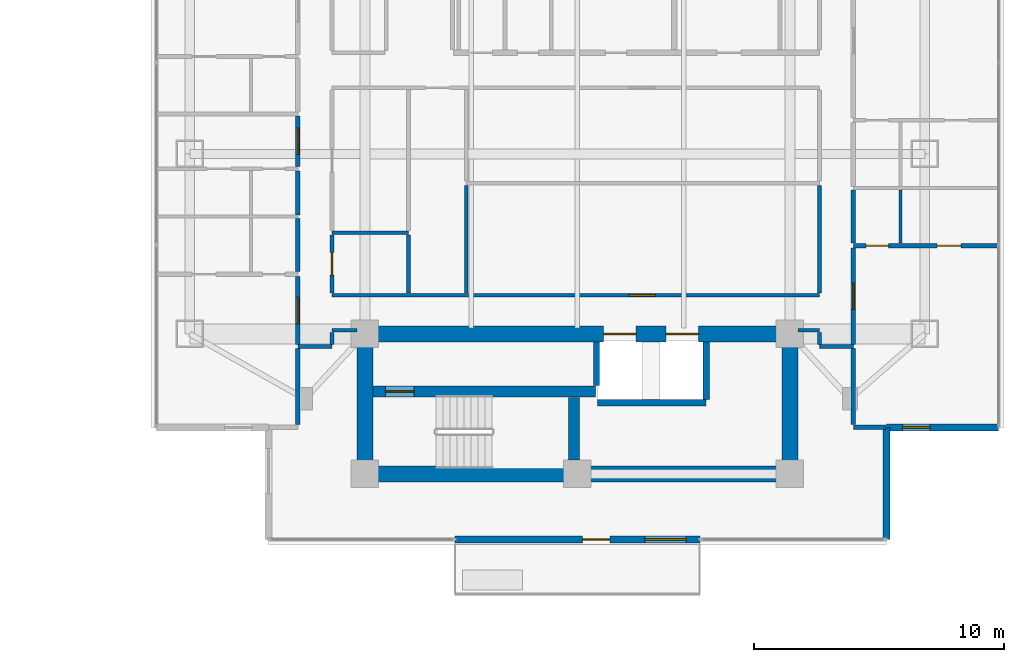
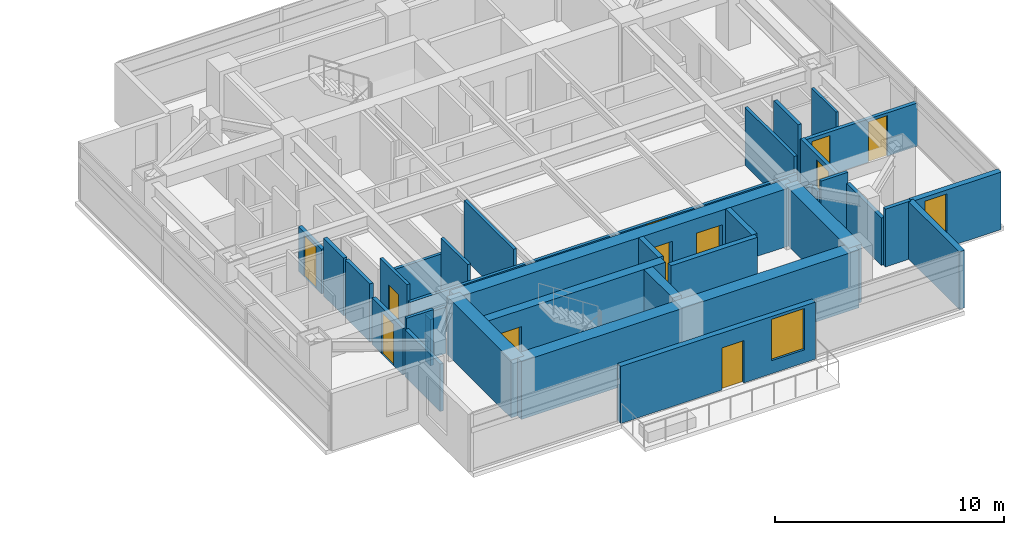
# One storey, part 17 of 24: 35 walls, 11 doors, 2 windows, 13 openings.
"""IFC4 building model written with IfcOpenShell, lengths in metres."""

from ifc_helpers import new_model, si_unit, direction, frame, frame_2d, origin, place, context, subcontext, project, spatial, rectangle, extrude, material, layer, layer_set, type_object, element, fill, save


model = new_model("IFC4")

# Units and contexts
model_context = context("Model", 3, precision=1e-05, world=origin(), true_north=direction((0.0, 1.0)))
body_context = subcontext(model_context, "Body", "Model", "MODEL_VIEW")
ifc_project = project(units=[si_unit("LENGTHUNIT", "METRE"), si_unit("AREAUNIT", "SQUARE_METRE"), si_unit("VOLUMEUNIT", "CUBIC_METRE"), si_unit("PLANEANGLEUNIT", "RADIAN"), si_unit("MASSUNIT", "GRAM", prefix="KILO")], contexts=[model_context])

# Site, building, storey
site_placement = place(None, origin())
site = spatial("IfcSite", under=ifc_project, at=site_placement, CompositionType="ELEMENT")
building_placement = place(site_placement, origin())
building = spatial("IfcBuilding", under=site, at=building_placement, Name="Mirazonda Arch Towers", CompositionType="ELEMENT")
storey_placement = place(building_placement, frame((0.0, 0.0, 118.10009765625)))
storey = spatial("IfcBuildingStorey", under=building, at=storey_placement, Name="L33", CompositionType="ELEMENT", Elevation=118.10009765625)

# Wall, opening, door
ifc_material_1 = material(Name="Concrete C50/60", Category="concrete")
ifc_layer_1 = layer(ifc_material_1, 0.449951171875, Name="WALL-CORE-450")
ifc_layer_set_1 = layer_set([ifc_layer_1], Name="Concrete C50/60")
wall_type_1 = type_object("IfcWallType", Name="WALL-CORE-450", PredefinedType="SHEAR", material=ifc_layer_set_1)
wall_1_placement = place(storey_placement, frame((68.320068359375, 18.5, 0.0), z_axis=(0.0, 0.0, 1.0), x_axis=(1.0, 0.0, 0.0)))
wall_1 = element("IfcWall", 1, at=wall_1_placement, inside=storey, type_object=wall_type_1, Name="L33 Stair Core Shear Wall 014", PredefinedType="SHEAR", context=body_context, shape_type="SweptSolid", body=[
    extrude(rectangle(XDim=8.89990234375, YDim=0.449951171875, at=frame_2d((4.449951171875, 0.0))), origin(), (0.0, 0.0, 1.0), 3.079833984375),
])
opening_1_placement = place(wall_1_placement, frame((0.4951171875, 0.0, 0.0)))
opening_1 = element("IfcOpeningElement", 2, at=opening_1_placement, cuts=wall_1, Name="Opening DR-135", PredefinedType="OPENING", context=body_context, shape_type="SweptSolid", body=[
    extrude(rectangle(XDim=1.14990234375, YDim=2.199951171875, at=frame_2d((0.574951171875, 1.10009765625))), frame((0.0, 0.23486328125, 0.0), z_axis=(0.0, -1.0, 0.0), x_axis=(1.0, 0.0, 0.0)), (0.0, 0.0, 1.0), 0.469970703125),
])
ifc_material_2 = material(Name="Architectural Brushed Steel S355", Category="steel")
door_type_1 = type_object("IfcDoorType", Name="DOOR-STAIR-FD90-1150", OperationType="NOTDEFINED", PredefinedType="DOOR", material=ifc_material_2)
door_1_placement = place(opening_1_placement, origin())
door_1 = element("IfcDoor", 3, at=door_1_placement, inside=storey, type_object=door_type_1, Name="L33 East Protected Stair South Door", OperationType="SINGLE_SWING_LEFT", OverallHeight=2.199951171875, OverallWidth=1.14990234375, PredefinedType="DOOR", context=body_context, shape_type="SweptSolid", body=[
    extrude(rectangle(XDim=1.14990234375, YDim=2.199951171875, at=frame_2d((0.574951171875, 1.10009765625))), frame((0.0, 0.02490234375, 0.0), z_axis=(0.0, -1.0, 0.0), x_axis=(1.0, 0.0, 0.0)), (0.0, 0.0, 1.0), 0.050048828125),
])
fill(opening_1, door_1)

# Walls
wall_2_placement = place(storey_placement, frame((76.360107421875, 15.764892578125, 0.0), z_axis=(0.0, 0.0, 1.0), x_axis=(0.0, 1.0, 0.0)))
element("IfcWall", 4, at=wall_2_placement, inside=storey, type_object=wall_type_1, Name="L33 Stair Core Shear Wall 144", PredefinedType="SHEAR", context=body_context, shape_type="SweptSolid", body=[
    extrude(rectangle(XDim=2.5, YDim=0.449951171875, at=frame_2d((1.25, 0.0))), origin(), (0.0, 0.0, 1.0), 3.079833984375),
])
ifc_material_3 = material(Name="Concrete C60/75", Category="concrete")
ifc_layer_2 = layer(ifc_material_3, 0.64990234375, Name="WALL-CORE-650")
ifc_layer_set_2 = layer_set([ifc_layer_2], Name="Concrete C60/75")
wall_type_2 = type_object("IfcWallType", Name="WALL-CORE-650", PredefinedType="SHEAR", material=ifc_layer_set_2)
wall_3_placement = place(storey_placement, frame((68.0, 15.199951171875, 0.0), z_axis=(0.0, 0.0, 1.0), x_axis=(1.0, 0.0, 0.0)))
element("IfcWall", 5, at=wall_3_placement, inside=storey, type_object=wall_type_2, Name="L33 T2S-S Core Shear Wall", PredefinedType="SHEAR", context=body_context, shape_type="SweptSolid", body=[
    extrude(rectangle(XDim=17.0, YDim=0.64990234375, at=frame_2d((8.5, 0.0))), origin(), (0.0, 0.0, 1.0), 3.079833984375),
])
for number, where, z_axis, x_axis, name in (
    (6, (68.0, 15.199951171875, 0.0), (0.0, 0.0, 1.0), (0.0, 1.0, 0.0), "L33 T2S-W Core Shear Wall"),
    (7, (85.0, 15.199951171875, 0.0), (0.0, 0.0, 1.0), (0.0, 1.0, 0.0), "L33 T2S-E Core Shear Wall"),
):
    element("IfcWall", number, at=place(storey_placement, frame(where, z_axis=z_axis, x_axis=x_axis)), inside=storey, type_object=wall_type_2, Name=name, PredefinedType="SHEAR", context=body_context, shape_type="SweptSolid", body=[
        extrude(rectangle(XDim=5.60009765625, YDim=0.64990234375, at=frame_2d((2.800048828125, 0.0))), origin(), (0.0, 0.0, 1.0), 3.079833984375),
    ])

# Wall, openings, doors
wall_4_placement = place(storey_placement, frame((68.0, 20.800048828125, 0.0), z_axis=(0.0, 0.0, 1.0), x_axis=(1.0, 0.0, 0.0)))
wall_4 = element("IfcWall", 8, at=wall_4_placement, inside=storey, type_object=wall_type_2, Name="L33 T2S-N Core Shear Wall", PredefinedType="SHEAR", context=body_context, shape_type="SweptSolid", body=[
    extrude(rectangle(XDim=17.0, YDim=0.64990234375, at=frame_2d((8.5, 0.0))), origin(), (0.0, 0.0, 1.0), 3.079833984375),
])
opening_2_placement = place(wall_4_placement, frame((9.550048828125, 0.0, 0.0)))
opening_2 = element("IfcOpeningElement", 9, at=opening_2_placement, cuts=wall_4, Name="Opening LD-111", PredefinedType="OPENING", context=body_context, shape_type="SweptSolid", body=[
    extrude(rectangle(XDim=1.300048828125, YDim=2.300048828125, at=frame_2d((0.64990234375, 1.14990234375))), frame((0.0, 0.3349609375, 0.0), z_axis=(0.0, -1.0, 0.0), x_axis=(1.0, 0.0, 0.0)), (0.0, 0.0, 1.0), 0.669921875),
])
opening_3_placement = place(wall_4_placement, frame((12.050048828125, 0.0, 0.0)))
opening_3 = element("IfcOpeningElement", 10, at=opening_3_placement, cuts=wall_4, Name="Opening LD-111", PredefinedType="OPENING", context=body_context, shape_type="SweptSolid", body=[
    extrude(rectangle(XDim=1.300048828125, YDim=2.300048828125, at=frame_2d((0.64990234375, 1.14990234375))), frame((0.0, 0.3349609375, 0.0), z_axis=(0.0, -1.0, 0.0), x_axis=(1.0, 0.0, 0.0)), (0.0, 0.0, 1.0), 0.669921875),
])
door_type_2 = type_object("IfcDoorType", Name="DOOR-LIFT-LAND-1300", OperationType="NOTDEFINED", PredefinedType="DOOR", material=ifc_material_2)
door_2_placement = place(opening_2_placement, origin())
door_2 = element("IfcDoor", 11, at=door_2_placement, inside=storey, type_object=door_type_2, Name="L33 Lift Landing Sliding Door PL-T2H1", OperationType="DOUBLE_DOOR_SLIDING", OverallHeight=2.300048828125, OverallWidth=1.300048828125, PredefinedType="DOOR", context=body_context, shape_type="SweptSolid", body=[
    extrude(rectangle(XDim=1.300048828125, YDim=2.300048828125, at=frame_2d((0.64990234375, 1.14990234375))), frame((0.0, 0.02490234375, 0.0), z_axis=(0.0, -1.0, 0.0), x_axis=(1.0, 0.0, 0.0)), (0.0, 0.0, 1.0), 0.050048828125),
])
fill(opening_2, door_2)
door_3_placement = place(opening_3_placement, origin())
door_3 = element("IfcDoor", 12, at=door_3_placement, inside=storey, type_object=door_type_2, Name="L33 Lift Landing Sliding Door PL-T2H2", OperationType="DOUBLE_DOOR_SLIDING", OverallHeight=2.300048828125, OverallWidth=1.300048828125, PredefinedType="DOOR", context=body_context, shape_type="SweptSolid", body=[
    extrude(rectangle(XDim=1.300048828125, YDim=2.300048828125, at=frame_2d((0.64990234375, 1.14990234375))), frame((0.0, 0.02490234375, 0.0), z_axis=(0.0, -1.0, 0.0), x_axis=(1.0, 0.0, 0.0)), (0.0, 0.0, 1.0), 0.050048828125),
])
fill(opening_3, door_3)

# Wall, openings, door, window
ifc_material_4 = material(Name="Precast Concrete C40/50", Category="concrete")
ifc_layer_3 = layer(ifc_material_4, 0.280029296875, Name="WALL-EXT-WALL-280")
ifc_layer_set_3 = layer_set([ifc_layer_3], Name="Precast Concrete C40/50")
wall_type_3 = type_object("IfcWallType", Name="WALL-EXT-WALL-280", PredefinedType="SOLIDWALL", material=ifc_layer_set_3)
wall_5_placement = place(storey_placement, frame((81.39990234375, 12.5810546875, 0.0), z_axis=(0.0, 0.0, 1.0), x_axis=(-1.0, 0.0, 0.0)))
wall_5 = element("IfcWall", 13, at=wall_5_placement, inside=storey, type_object=wall_type_3, Name="L33 T2 Sky-Terrace Threshold Wall WL-TERR-L33-T2", PredefinedType="SOLIDWALL", context=body_context, shape_type="SweptSolid", body=[
    extrude(rectangle(XDim=9.7998046875, YDim=0.280029296875, at=frame_2d((4.89990234375, 0.0))), origin(), (0.0, 0.0, 1.0), 3.039794921875),
])
opening_4_placement = place(wall_5_placement, frame((0.550048828125, 0.0, 0.68994140625)))
opening_4 = element("IfcOpeningElement", 14, at=opening_4_placement, cuts=wall_5, Name="Opening WN-115", PredefinedType="OPENING", context=body_context, shape_type="SweptSolid", body=[
    extrude(rectangle(XDim=1.64990234375, YDim=2.199951171875, at=frame_2d((0.824951171875, 1.10009765625))), frame((0.0, 0.14990234375, 0.0), z_axis=(0.0, -1.0, 0.0), x_axis=(1.0, 0.0, 0.0)), (0.0, 0.0, 1.0), 0.300048828125),
])
opening_5_placement = place(wall_5_placement, frame((3.60009765625, 0.0, 0.0)))
opening_5 = element("IfcOpeningElement", 15, at=opening_5_placement, cuts=wall_5, Name="Opening DR-114", PredefinedType="OPENING", context=body_context, shape_type="SweptSolid", body=[
    extrude(rectangle(XDim=1.10009765625, YDim=2.25, at=frame_2d((0.550048828125, 1.125))), frame((0.0, 0.14990234375, 0.0), z_axis=(0.0, -1.0, 0.0), x_axis=(1.0, 0.0, 0.0)), (0.0, 0.0, 1.0), 0.300048828125),
])
ifc_material_5 = material(Name="Architectural Hardwood Timber", Category="wood")
door_type_3 = type_object("IfcDoorType", Name="DOOR-TERR-EXT-1100", OperationType="NOTDEFINED", PredefinedType="DOOR", material=ifc_material_5)
door_4_placement = place(opening_5_placement, origin())
door_4 = element("IfcDoor", 16, at=door_4_placement, inside=storey, type_object=door_type_3, Name="L33 Exterior Door DR-TERR-L33-T2", OperationType="SINGLE_SWING_LEFT", OverallHeight=2.25, OverallWidth=1.10009765625, PredefinedType="DOOR", context=body_context, shape_type="SweptSolid", body=[
    extrude(rectangle(XDim=1.10009765625, YDim=2.25, at=frame_2d((0.550048828125, 1.125))), frame((0.0, 0.02490234375, 0.0), z_axis=(0.0, -1.0, 0.0), x_axis=(1.0, 0.0, 0.0)), (0.0, 0.0, 1.0), 0.050048828125),
])
fill(opening_5, door_4)
ifc_material_6 = material(Name="Insulated Low-E Solar Glass", Category="glass")
window_type_1 = type_object("IfcWindowType", Name="WIN-RES-1650x2200", PartitioningType="SINGLE_PANEL", PredefinedType="WINDOW", material=ifc_material_6)
window_1_placement = place(opening_4_placement, origin())
window_1 = element("IfcWindow", 17, at=window_1_placement, inside=storey, type_object=window_type_1, Name="L33 Punched Facade Window WN-TERR-L33-T2", OverallHeight=2.199951171875, OverallWidth=1.64990234375, PartitioningType="SINGLE_PANEL", PredefinedType="WINDOW", context=body_context, shape_type="SweptSolid", body=[
    extrude(rectangle(XDim=1.64990234375, YDim=2.199951171875, at=frame_2d((0.824951171875, 1.10009765625))), frame((0.0, 0.030029296875, 0.0), z_axis=(0.0, -1.0, 0.0), x_axis=(1.0, 0.0, 0.0)), (0.0, 0.0, 1.0), 0.06005859375),
])
fill(opening_4, window_1)

# Wall, opening, window
wall_6_placement = place(storey_placement, frame((88.8583984375, 17.0673828125, 0.0), z_axis=(0.0, 0.0, 1.0), x_axis=(1.0, 0.0, 0.0)))
wall_6 = element("IfcWall", 18, at=wall_6_placement, inside=storey, type_object=wall_type_3, Name="L33 T2 Corner Notch Return Wall WL-L33-T2-CSE1", PredefinedType="SOLIDWALL", context=body_context, shape_type="SweptSolid", body=[
    extrude(rectangle(XDim=4.486572265625, YDim=0.280029296875, at=frame_2d((2.2431640625, 0.0))), origin(), (0.0, 0.0, 1.0), 3.059814453125),
])
opening_6_placement = place(wall_6_placement, frame((0.64990234375, 0.0, 0.85009765625)))
opening_6 = element("IfcOpeningElement", 19, at=opening_6_placement, cuts=wall_6, Name="Opening WN-108", PredefinedType="OPENING", context=body_context, shape_type="SweptSolid", body=[
    extrude(rectangle(XDim=1.10009765625, YDim=2.0, at=frame_2d((0.550048828125, 1.0))), frame((0.0, 0.14990234375, 0.0), z_axis=(0.0, -1.0, 0.0), x_axis=(1.0, 0.0, 0.0)), (0.0, 0.0, 1.0), 0.300048828125),
])
window_type_2 = type_object("IfcWindowType", Name="WIN-NOTCH-1100x2000", PartitioningType="SINGLE_PANEL", PredefinedType="WINDOW", material=ifc_material_6)
window_2_placement = place(opening_6_placement, origin())
window_2 = element("IfcWindow", 20, at=window_2_placement, inside=storey, type_object=window_type_2, Name="L33 Punched Facade Window WN-L33-T2-CSE1", OverallHeight=2.0, OverallWidth=1.10009765625, PartitioningType="SINGLE_PANEL", PredefinedType="WINDOW", context=body_context, shape_type="SweptSolid", body=[
    extrude(rectangle(XDim=1.10009765625, YDim=2.0, at=frame_2d((0.550048828125, 1.0))), frame((0.0, 0.030029296875, 0.0), z_axis=(0.0, -1.0, 0.0), x_axis=(1.0, 0.0, 0.0)), (0.0, 0.0, 1.0), 0.06005859375),
])
fill(opening_6, window_2)

# Walls
wall_7_placement = place(storey_placement, frame((88.8583984375, 12.5810546875, 0.0), z_axis=(0.0, 0.0, 1.0), x_axis=(0.0, 1.0, 0.0)))
element("IfcWall", 21, at=wall_7_placement, inside=storey, type_object=wall_type_3, Name="L33 T2 Corner Notch Return Wall WL-L33-T2-CSE2", PredefinedType="SOLIDWALL", context=body_context, shape_type="SweptSolid", body=[
    extrude(rectangle(XDim=4.486328125, YDim=0.280029296875, at=frame_2d((2.2431640625, 0.0))), origin(), (0.0, 0.0, 1.0), 3.059814453125),
])
ifc_material_7 = material(Name="Fire-Rated Gypsum Stud Partition")
ifc_layer_4 = layer(ifc_material_7, 0.14990234375, Name="WALL-PART-CORR-150")
ifc_layer_set_4 = layer_set([ifc_layer_4], Name="Fire-Rated Gypsum Stud Partition")
wall_type_4 = type_object("IfcWallType", Name="WALL-PART-CORR-150", PredefinedType="PARTITIONING", material=ifc_layer_set_4)
wall_8_placement = place(storey_placement, frame((65.320068359375, 20.300048828125, 0.0), z_axis=(0.0, 0.0, 1.0), x_axis=(1.0, 0.0, 0.0)))
element("IfcWall", 22, at=wall_8_placement, inside=storey, type_object=wall_type_4, Name="L33 Interior Partition 017", PredefinedType="PARTITIONING", context=body_context, shape_type="SweptSolid", body=[
    extrude(rectangle(XDim=1.35986328125, YDim=0.14990234375, at=frame_2d((0.679931640625, 0.0))), origin(), (0.0, 0.0, 1.0), 3.079833984375),
])
wall_9_placement = place(storey_placement, frame((86.179931640625, 20.300048828125, 0.0), z_axis=(0.0, 0.0, 1.0), x_axis=(1.0, 0.0, 0.0)))
element("IfcWall", 23, at=wall_9_placement, inside=storey, type_object=wall_type_4, Name="L33 Interior Partition 018", PredefinedType="PARTITIONING", context=body_context, shape_type="SweptSolid", body=[
    extrude(rectangle(XDim=1.360107421875, YDim=0.14990234375, at=frame_2d((0.68017578125, 0.0))), origin(), (0.0, 0.0, 1.0), 3.079833984375),
])
wall_10_placement = place(storey_placement, frame((66.679931640625, 20.949951171875, 0.0), z_axis=(0.0, 0.0, 1.0), x_axis=(1.0, 0.0, 0.0)))
element("IfcWall", 24, at=wall_10_placement, inside=storey, type_object=wall_type_4, Name="L33 Interior Partition 020", PredefinedType="PARTITIONING", context=body_context, shape_type="SweptSolid", body=[
    extrude(rectangle(XDim=1.0, YDim=0.14990234375, at=frame_2d((0.5, 0.0))), origin(), (0.0, 0.0, 1.0), 2.471923828125),
])
wall_11_placement = place(storey_placement, frame((85.320068359375, 20.949951171875, 0.0), z_axis=(0.0, 0.0, 1.0), x_axis=(1.0, 0.0, 0.0)))
element("IfcWall", 25, at=wall_11_placement, inside=storey, type_object=wall_type_4, Name="L33 Interior Partition 021", PredefinedType="PARTITIONING", context=body_context, shape_type="SweptSolid", body=[
    extrude(rectangle(XDim=0.85986328125, YDim=0.14990234375, at=frame_2d((0.429931640625, 0.0))), origin(), (0.0, 0.0, 1.0), 2.471923828125),
])

# Wall, opening, door
wall_12_placement = place(storey_placement, frame((66.679931640625, 22.35009765625, 0.0), z_axis=(0.0, 0.0, 1.0), x_axis=(1.0, 0.0, 0.0)))
wall_12 = element("IfcWall", 26, at=wall_12_placement, inside=storey, type_object=wall_type_4, Name="L33 Interior Partition 022", PredefinedType="PARTITIONING", context=body_context, shape_type="SweptSolid", body=[
    extrude(rectangle(XDim=19.5, YDim=0.14990234375, at=frame_2d((9.75, 0.0))), origin(), (0.0, 0.0, 1.0), 2.2158203125),
])
opening_7_placement = place(wall_12_placement, frame((11.889892578125, 0.0, 0.0)))
opening_7 = element("IfcOpeningElement", 27, at=opening_7_placement, cuts=wall_12, Name="Opening DR-121", PredefinedType="OPENING", context=body_context, shape_type="SweptSolid", body=[
    extrude(rectangle(XDim=1.050048828125, YDim=2.199951171875, at=frame_2d((0.52490234375, 1.10009765625))), frame((0.0, 0.0849609375, 0.0), z_axis=(0.0, -1.0, 0.0), x_axis=(1.0, 0.0, 0.0)), (0.0, 0.0, 1.0), 0.169921875),
])
door_type_4 = type_object("IfcDoorType", Name="DOOR-SUITE-FD60-1050", OperationType="NOTDEFINED", PredefinedType="DOOR", material=ifc_material_2)
door_5_placement = place(opening_7_placement, origin())
door_5 = element("IfcDoor", 28, at=door_5_placement, inside=storey, type_object=door_type_4, Name="L33 Chamber Music & Screening Salon Door", OperationType="SINGLE_SWING_RIGHT", OverallHeight=2.199951171875, OverallWidth=1.050048828125, PredefinedType="DOOR", context=body_context, shape_type="SweptSolid", body=[
    extrude(rectangle(XDim=1.050048828125, YDim=2.199951171875, at=frame_2d((0.52490234375, 1.10009765625))), frame((0.0, 0.02490234375, 0.0), z_axis=(0.0, -1.0, 0.0), x_axis=(1.0, 0.0, 0.0)), (0.0, 0.0, 1.0), 0.050048828125),
])
fill(opening_7, door_5)

# Walls
wall_13_placement = place(storey_placement, frame((66.679931640625, 24.85009765625, 0.0), z_axis=(0.0, 0.0, 1.0), x_axis=(1.0, 0.0, 0.0)))
element("IfcWall", 29, at=wall_13_placement, inside=storey, type_object=wall_type_4, Name="L33 Interior Partition 028", PredefinedType="PARTITIONING", context=body_context, shape_type="SweptSolid", body=[
    extrude(rectangle(XDim=3.070068359375, YDim=0.14990234375, at=frame_2d((1.53515625, 0.0))), origin(), (0.0, 0.0, 1.0), 2.2158203125),
])
wall_14_placement = place(storey_placement, frame((66.679931640625, 20.385009765625, 0.0), z_axis=(0.0, 0.0, 1.0), x_axis=(0.0, 1.0, 0.0)))
element("IfcWall", 30, at=wall_14_placement, inside=storey, type_object=wall_type_4, Name="L33 Interior Partition 131", PredefinedType="PARTITIONING", context=body_context, shape_type="SweptSolid", body=[
    extrude(rectangle(XDim=0.47998046875, YDim=0.14990234375, at=frame_2d((0.239990234375, 0.0))), origin(), (0.0, 0.0, 1.0), 2.471923828125),
])

# Wall, opening, door
wall_15_placement = place(storey_placement, frame((66.679931640625, 22.43505859375, 0.0), z_axis=(0.0, 0.0, 1.0), x_axis=(0.0, 1.0, 0.0)))
wall_15 = element("IfcWall", 31, at=wall_15_placement, inside=storey, type_object=wall_type_4, Name="L33 Interior Partition 132", PredefinedType="PARTITIONING", context=body_context, shape_type="SweptSolid", body=[
    extrude(rectangle(XDim=2.329833984375, YDim=0.14990234375, at=frame_2d((1.1650390625, 0.0))), origin(), (0.0, 0.0, 1.0), 3.079833984375),
])
opening_8_placement = place(wall_15_placement, frame((0.715087890625, 0.0, 0.0)))
opening_8 = element("IfcOpeningElement", 32, at=opening_8_placement, cuts=wall_15, Name="Opening DR-120", PredefinedType="OPENING", context=body_context, shape_type="SweptSolid", body=[
    extrude(rectangle(XDim=0.89990234375, YDim=2.10009765625, at=frame_2d((0.449951171875, 1.050048828125))), frame((0.0, 0.0849609375, 0.0), z_axis=(0.0, -1.0, 0.0), x_axis=(1.0, 0.0, 0.0)), (0.0, 0.0, 1.0), 0.169921875),
])
door_type_5 = type_object("IfcDoorType", Name="DOOR-WC-900", OperationType="NOTDEFINED", PredefinedType="DOOR", material=ifc_material_2)
door_6_placement = place(opening_8_placement, origin())
door_6 = element("IfcDoor", 33, at=door_6_placement, inside=storey, type_object=door_type_5, Name="L33 Tower 2 Common Accessible WC Door", OperationType="SINGLE_SWING_RIGHT", OverallHeight=2.10009765625, OverallWidth=0.89990234375, PredefinedType="DOOR", context=body_context, shape_type="SweptSolid", body=[
    extrude(rectangle(XDim=0.89990234375, YDim=2.10009765625, at=frame_2d((0.449951171875, 1.050048828125))), frame((0.0, 0.02490234375, 0.0), z_axis=(0.0, -1.0, 0.0), x_axis=(1.0, 0.0, 0.0)), (0.0, 0.0, 1.0), 0.050048828125),
])
fill(opening_8, door_6)

# Walls
wall_16_placement = place(storey_placement, frame((69.743408203125, 22.43505859375, 0.0), z_axis=(0.0, 0.0, 1.0), x_axis=(0.0, 1.0, 0.0)))
element("IfcWall", 34, at=wall_16_placement, inside=storey, type_object=wall_type_4, Name="L33 Interior Partition 136", PredefinedType="PARTITIONING", context=body_context, shape_type="SweptSolid", body=[
    extrude(rectangle(XDim=2.329833984375, YDim=0.14990234375, at=frame_2d((1.1650390625, 0.0))), origin(), (0.0, 0.0, 1.0), 3.079833984375),
])
wall_17_placement = place(storey_placement, frame((72.050048828125, 22.43505859375, 0.0), z_axis=(0.0, 0.0, 1.0), x_axis=(0.0, 1.0, 0.0)))
element("IfcWall", 35, at=wall_17_placement, inside=storey, type_object=wall_type_4, Name="L33 Interior Partition 140", PredefinedType="PARTITIONING", context=body_context, shape_type="SweptSolid", body=[
    extrude(rectangle(XDim=4.31201171875, YDim=0.14990234375, at=frame_2d((2.156005859375, 0.0))), origin(), (0.0, 0.0, 1.0), 3.079833984375),
])
wall_18_placement = place(storey_placement, frame((86.179931640625, 20.385009765625, 0.0), z_axis=(0.0, 0.0, 1.0), x_axis=(0.0, 1.0, 0.0)))
element("IfcWall", 36, at=wall_18_placement, inside=storey, type_object=wall_type_4, Name="L33 Interior Partition 152", PredefinedType="PARTITIONING", context=body_context, shape_type="SweptSolid", body=[
    extrude(rectangle(XDim=0.47998046875, YDim=0.14990234375, at=frame_2d((0.239990234375, 0.0))), origin(), (0.0, 0.0, 1.0), 2.471923828125),
])
wall_19_placement = place(storey_placement, frame((86.179931640625, 22.43505859375, 0.0), z_axis=(0.0, 0.0, 1.0), x_axis=(0.0, 1.0, 0.0)))
element("IfcWall", 37, at=wall_19_placement, inside=storey, type_object=wall_type_4, Name="L33 Interior Partition 153", PredefinedType="PARTITIONING", context=body_context, shape_type="SweptSolid", body=[
    extrude(rectangle(XDim=4.31201171875, YDim=0.14990234375, at=frame_2d((2.156005859375, 0.0))), origin(), (0.0, 0.0, 1.0), 3.079833984375),
])
ifc_material_8 = material(Name="Fire-Rated Gypsum Twin-Stud Assembly")
ifc_layer_5 = layer(ifc_material_8, 0.179931640625, Name="WALL-PART-DEMISE-180")
ifc_layer_set_5 = layer_set([ifc_layer_5], Name="Fire-Rated Gypsum Twin-Stud Assembly")
wall_type_5 = type_object("IfcWallType", Name="WALL-PART-DEMISE-180", PredefinedType="PARTITIONING", material=ifc_layer_set_5)
wall_20_placement = place(storey_placement, frame((87.5400390625, 17.068115234375, 0.0), z_axis=(0.0, 0.0, 1.0), x_axis=(1.0, 0.0, 0.0)))
element("IfcWall", 38, at=wall_20_placement, inside=storey, type_object=wall_type_5, Name="L33 Interior Partition 010", PredefinedType="PARTITIONING", context=body_context, shape_type="SweptSolid", body=[
    extrude(rectangle(XDim=1.29833984375, YDim=0.179931640625, at=frame_2d((0.649169921875, 0.0))), origin(), (0.0, 0.0, 1.0), 3.079833984375),
])

# Wall, openings, doors
wall_21_placement = place(storey_placement, frame((87.5400390625, 24.33203125, 0.0), z_axis=(0.0, 0.0, 1.0), x_axis=(1.0, 0.0, 0.0)))
wall_21 = element("IfcWall", 39, at=wall_21_placement, inside=storey, type_object=wall_type_5, Name="L33 Interior Partition 027", PredefinedType="PARTITIONING", context=body_context, shape_type="SweptSolid", body=[
    extrude(rectangle(XDim=5.804931640625, YDim=0.179931640625, at=frame_2d((2.90234375, 0.0))), origin(), (0.0, 0.0, 1.0), 2.298828125),
])
opening_9_placement = place(wall_21_placement, frame((3.347412109375, 0.0, 0.0)))
opening_9 = element("IfcOpeningElement", 40, at=opening_9_placement, cuts=wall_21, Name="Opening DR-104", PredefinedType="OPENING", context=body_context, shape_type="SweptSolid", body=[
    extrude(rectangle(XDim=0.949951171875, YDim=2.14990234375, at=frame_2d((0.47509765625, 1.074951171875))), frame((0.0, 0.099853515625, 0.0), z_axis=(0.0, -1.0, 0.0), x_axis=(1.0, 0.0, 0.0)), (0.0, 0.0, 1.0), 0.199951171875),
])
opening_10_placement = place(wall_21_placement, frame((0.510009765625, 0.0, 0.0)))
opening_10 = element("IfcOpeningElement", 41, at=opening_10_placement, cuts=wall_21, Name="Opening DR-120", PredefinedType="OPENING", context=body_context, shape_type="SweptSolid", body=[
    extrude(rectangle(XDim=0.89990234375, YDim=2.10009765625, at=frame_2d((0.449951171875, 1.050048828125))), frame((0.0, 0.099853515625, 0.0), z_axis=(0.0, -1.0, 0.0), x_axis=(1.0, 0.0, 0.0)), (0.0, 0.0, 1.0), 0.199951171875),
])
door_type_6 = type_object("IfcDoorType", Name="DOOR-ROOM-950", OperationType="NOTDEFINED", PredefinedType="DOOR", material=ifc_material_2)
door_7_placement = place(opening_9_placement, origin())
door_7 = element("IfcDoor", 42, at=door_7_placement, inside=storey, type_object=door_type_6, Name="L33 Studio 1 Galley Kitchen Door", OperationType="SINGLE_SWING_LEFT", OverallHeight=2.14990234375, OverallWidth=0.949951171875, PredefinedType="DOOR", context=body_context, shape_type="SweptSolid", body=[
    extrude(rectangle(XDim=0.949951171875, YDim=2.14990234375, at=frame_2d((0.47509765625, 1.074951171875))), frame((0.0, 0.02490234375, 0.0), z_axis=(0.0, -1.0, 0.0), x_axis=(1.0, 0.0, 0.0)), (0.0, 0.0, 1.0), 0.050048828125),
])
fill(opening_9, door_7)
door_8_placement = place(opening_10_placement, origin())
door_8 = element("IfcDoor", 43, at=door_8_placement, inside=storey, type_object=door_type_5, Name="L33 Studio 1 Bathroom Door", OperationType="SINGLE_SWING_RIGHT", OverallHeight=2.10009765625, OverallWidth=0.89990234375, PredefinedType="DOOR", context=body_context, shape_type="SweptSolid", body=[
    extrude(rectangle(XDim=0.89990234375, YDim=2.10009765625, at=frame_2d((0.449951171875, 1.050048828125))), frame((0.0, 0.02490234375, 0.0), z_axis=(0.0, -1.0, 0.0), x_axis=(1.0, 0.0, 0.0)), (0.0, 0.0, 1.0), 0.050048828125),
])
fill(opening_10, door_8)

# Wall
wall_22_placement = place(storey_placement, frame((65.320068359375, 17.16796875, 0.0), z_axis=(0.0, 0.0, 1.0), x_axis=(0.0, 1.0, 0.0)))
element("IfcWall", 44, at=wall_22_placement, inside=storey, type_object=wall_type_5, Name="L33 Interior Partition 123", PredefinedType="PARTITIONING", context=body_context, shape_type="SweptSolid", body=[
    extrude(rectangle(XDim=3.047119140625, YDim=0.179931640625, at=frame_2d((1.5234375, 0.0))), origin(), (0.0, 0.0, 1.0), 2.52294921875),
])

# Wall, opening, door
wall_23_placement = place(storey_placement, frame((65.320068359375, 20.385009765625, 0.0), z_axis=(0.0, 0.0, 1.0), x_axis=(0.0, 1.0, 0.0)))
wall_23 = element("IfcWall", 45, at=wall_23_placement, inside=storey, type_object=wall_type_5, Name="L33 Interior Partition 124", PredefinedType="PARTITIONING", context=body_context, shape_type="SweptSolid", body=[
    extrude(rectangle(XDim=2.70703125, YDim=0.179931640625, at=frame_2d((1.353515625, 0.0))), origin(), (0.0, 0.0, 1.0), 2.471923828125),
])
opening_11_placement = place(wall_23_placement, frame((0.82861328125, 0.0, 0.0)))
opening_11 = element("IfcOpeningElement", 46, at=opening_11_placement, cuts=wall_23, Name="Opening DR-121", PredefinedType="OPENING", context=body_context, shape_type="SweptSolid", body=[
    extrude(rectangle(XDim=1.050048828125, YDim=2.199951171875, at=frame_2d((0.52490234375, 1.10009765625))), frame((0.0, 0.099853515625, 0.0), z_axis=(0.0, -1.0, 0.0), x_axis=(1.0, 0.0, 0.0)), (0.0, 0.0, 1.0), 0.199951171875),
])
door_9_placement = place(opening_11_placement, origin())
door_9 = element("IfcDoor", 47, at=door_9_placement, inside=storey, type_object=door_type_4, Name="L33 Studio Apartment 1 Living Salon Door", OperationType="SINGLE_SWING_LEFT", OverallHeight=2.199951171875, OverallWidth=1.050048828125, PredefinedType="DOOR", context=body_context, shape_type="SweptSolid", body=[
    extrude(rectangle(XDim=1.050048828125, YDim=2.199951171875, at=frame_2d((0.52490234375, 1.10009765625))), frame((0.0, 0.02490234375, 0.0), z_axis=(0.0, -1.0, 0.0), x_axis=(1.0, 0.0, 0.0)), (0.0, 0.0, 1.0), 0.050048828125),
])
fill(opening_11, door_9)

# Walls
wall_24_placement = place(storey_placement, frame((65.320068359375, 23.2919921875, 0.0), z_axis=(0.0, 0.0, 1.0), x_axis=(0.0, 1.0, 0.0)))
element("IfcWall", 48, at=wall_24_placement, inside=storey, type_object=wall_type_5, Name="L33 Interior Partition 125", PredefinedType="PARTITIONING", context=body_context, shape_type="SweptSolid", body=[
    extrude(rectangle(XDim=2.12744140625, YDim=0.179931640625, at=frame_2d((1.063720703125, 0.0))), origin(), (0.0, 0.0, 1.0), 3.079833984375),
])
wall_25_placement = place(storey_placement, frame((65.320068359375, 25.564453125, 0.0), z_axis=(0.0, 0.0, 1.0), x_axis=(0.0, 1.0, 0.0)))
element("IfcWall", 49, at=wall_25_placement, inside=storey, type_object=wall_type_5, Name="L33 Interior Partition 126", PredefinedType="PARTITIONING", context=body_context, shape_type="SweptSolid", body=[
    extrude(rectangle(XDim=1.762451171875, YDim=0.179931640625, at=frame_2d((0.88134765625, 0.0))), origin(), (0.0, 0.0, 1.0), 3.079833984375),
])

# Wall, opening, door
wall_26_placement = place(storey_placement, frame((65.320068359375, 27.4970703125, 0.0), z_axis=(0.0, 0.0, 1.0), x_axis=(0.0, 1.0, 0.0)))
wall_26 = element("IfcWall", 50, at=wall_26_placement, inside=storey, type_object=wall_type_5, Name="L33 Interior Partition 127", PredefinedType="PARTITIONING", context=body_context, shape_type="SweptSolid", body=[
    extrude(rectangle(XDim=2.013916015625, YDim=0.179931640625, at=frame_2d((1.0068359375, 0.0))), origin(), (0.0, 0.0, 1.0), 2.3759765625),
])
opening_12_placement = place(wall_26_placement, frame((0.48193359375, 0.0, 0.0)))
opening_12 = element("IfcOpeningElement", 51, at=opening_12_placement, cuts=wall_26, Name="Opening DR-121", PredefinedType="OPENING", context=body_context, shape_type="SweptSolid", body=[
    extrude(rectangle(XDim=1.050048828125, YDim=2.199951171875, at=frame_2d((0.52490234375, 1.10009765625))), frame((0.0, 0.099853515625, 0.0), z_axis=(0.0, -1.0, 0.0), x_axis=(1.0, 0.0, 0.0)), (0.0, 0.0, 1.0), 0.199951171875),
])
door_10_placement = place(opening_12_placement, origin())
door_10 = element("IfcDoor", 52, at=door_10_placement, inside=storey, type_object=door_type_4, Name="L33 Studio Apartment 2 Living Salon Door", OperationType="SINGLE_SWING_RIGHT", OverallHeight=2.199951171875, OverallWidth=1.050048828125, PredefinedType="DOOR", context=body_context, shape_type="SweptSolid", body=[
    extrude(rectangle(XDim=1.050048828125, YDim=2.199951171875, at=frame_2d((0.52490234375, 1.10009765625))), frame((0.0, 0.02490234375, 0.0), z_axis=(0.0, -1.0, 0.0), x_axis=(1.0, 0.0, 0.0)), (0.0, 0.0, 1.0), 0.050048828125),
])
fill(opening_12, door_10)

# Wall
wall_27_placement = place(storey_placement, frame((87.5400390625, 17.16796875, 0.0), z_axis=(0.0, 0.0, 1.0), x_axis=(0.0, 1.0, 0.0)))
element("IfcWall", 53, at=wall_27_placement, inside=storey, type_object=wall_type_5, Name="L33 Interior Partition 156", PredefinedType="PARTITIONING", context=body_context, shape_type="SweptSolid", body=[
    extrude(rectangle(XDim=3.047119140625, YDim=0.179931640625, at=frame_2d((1.5234375, 0.0))), origin(), (0.0, 0.0, 1.0), 2.52294921875),
])

# Wall, opening, door
wall_28_placement = place(storey_placement, frame((87.5400390625, 20.385009765625, 0.0), z_axis=(0.0, 0.0, 1.0), x_axis=(0.0, 1.0, 0.0)))
wall_28 = element("IfcWall", 54, at=wall_28_placement, inside=storey, type_object=wall_type_5, Name="L33 Interior Partition 157", PredefinedType="PARTITIONING", context=body_context, shape_type="SweptSolid", body=[
    extrude(rectangle(XDim=3.846923828125, YDim=0.179931640625, at=frame_2d((1.92333984375, 0.0))), origin(), (0.0, 0.0, 1.0), 2.471923828125),
])
opening_13_placement = place(wall_28_placement, frame((1.3984375, 0.0, 0.0)))
opening_13 = element("IfcOpeningElement", 55, at=opening_13_placement, cuts=wall_28, Name="Opening DR-121", PredefinedType="OPENING", context=body_context, shape_type="SweptSolid", body=[
    extrude(rectangle(XDim=1.050048828125, YDim=2.199951171875, at=frame_2d((0.52490234375, 1.10009765625))), frame((0.0, 0.099853515625, 0.0), z_axis=(0.0, -1.0, 0.0), x_axis=(1.0, 0.0, 0.0)), (0.0, 0.0, 1.0), 0.199951171875),
])
door_11_placement = place(opening_13_placement, origin())
door_11 = element("IfcDoor", 56, at=door_11_placement, inside=storey, type_object=door_type_4, Name="L33 Studio Apartment 1 Living Salon Door", OperationType="SINGLE_SWING_RIGHT", OverallHeight=2.199951171875, OverallWidth=1.050048828125, PredefinedType="DOOR", context=body_context, shape_type="SweptSolid", body=[
    extrude(rectangle(XDim=1.050048828125, YDim=2.199951171875, at=frame_2d((0.52490234375, 1.10009765625))), frame((0.0, 0.02490234375, 0.0), z_axis=(0.0, -1.0, 0.0), x_axis=(1.0, 0.0, 0.0)), (0.0, 0.0, 1.0), 0.050048828125),
])
fill(opening_13, door_11)

# Walls
wall_29_placement = place(storey_placement, frame((87.5400390625, 24.431884765625, 0.0), z_axis=(0.0, 0.0, 1.0), x_axis=(0.0, 1.0, 0.0)))
element("IfcWall", 57, at=wall_29_placement, inside=storey, type_object=wall_type_5, Name="L33 Interior Partition 158", PredefinedType="PARTITIONING", context=body_context, shape_type="SweptSolid", body=[
    extrude(rectangle(XDim=2.127685546875, YDim=0.179931640625, at=frame_2d((1.06396484375, 0.0))), origin(), (0.0, 0.0, 1.0), 3.079833984375),
])
ifc_material_9 = material(Name="Acoustic Fire-Rated Gypsum Partition")
ifc_layer_6 = layer(ifc_material_9, 0.125, Name="WALL-PART-UNIT-125")
ifc_layer_set_6 = layer_set([ifc_layer_6], Name="Acoustic Fire-Rated Gypsum Partition")
wall_type_6 = type_object("IfcWallType", Name="WALL-PART-UNIT-125", PredefinedType="PARTITIONING", material=ifc_layer_set_6)
wall_30_placement = place(storey_placement, frame((89.419921875, 24.431884765625, 0.0), z_axis=(0.0, 0.0, 1.0), x_axis=(0.0, 1.0, 0.0)))
element("IfcWall", 58, at=wall_30_placement, inside=storey, type_object=wall_type_6, Name="L33 Interior Partition 162", PredefinedType="PARTITIONING", context=body_context, shape_type="SweptSolid", body=[
    extrude(rectangle(XDim=2.127685546875, YDim=0.125, at=frame_2d((1.06396484375, 0.0))), origin(), (0.0, 0.0, 1.0), 3.079833984375),
])
ifc_material_10 = material(Name="Concrete C40/50", Category="concrete")
ifc_layer_7 = layer(ifc_material_10, 0.25, Name="WALL-SHAFT-250")
ifc_layer_set_7 = layer_set([ifc_layer_7], Name="Concrete C40/50")
wall_type_7 = type_object("IfcWallType", Name="WALL-SHAFT-250", PredefinedType="SOLIDWALL", material=ifc_layer_set_7)
wall_31_placement = place(storey_placement, frame((77.300048828125, 18.050048828125, 0.0), z_axis=(0.0, 0.0, 1.0), x_axis=(1.0, 0.0, 0.0)))
element("IfcWall", 59, at=wall_31_placement, inside=storey, type_object=wall_type_7, Name="L33 Interior Partition 011", PredefinedType="SOLIDWALL", context=body_context, shape_type="SweptSolid", body=[
    extrude(rectangle(XDim=4.349853515625, YDim=0.25, at=frame_2d((2.1748046875, 0.0))), origin(), (0.0, 0.0, 1.0), 3.079833984375),
])
wall_32_placement = place(storey_placement, frame((77.260009765625, 18.735107421875, 0.0), z_axis=(0.0, 0.0, 1.0), x_axis=(0.0, 1.0, 0.0)))
element("IfcWall", 60, at=wall_32_placement, inside=storey, type_object=wall_type_7, Name="L33 Interior Partition 146", PredefinedType="SOLIDWALL", context=body_context, shape_type="SweptSolid", body=[
    extrude(rectangle(XDim=1.744873046875, YDim=0.25, at=frame_2d((0.87255859375, 0.0))), origin(), (0.0, 0.0, 1.0), 3.079833984375),
])
wall_33_placement = place(storey_placement, frame((81.64990234375, 18.18505859375, 0.0), z_axis=(0.0, 0.0, 1.0), x_axis=(0.0, 1.0, 0.0)))
element("IfcWall", 61, at=wall_33_placement, inside=storey, type_object=wall_type_7, Name="L33 Interior Partition 150", PredefinedType="SOLIDWALL", context=body_context, shape_type="SweptSolid", body=[
    extrude(rectangle(XDim=2.294921875, YDim=0.25, at=frame_2d((1.1474609375, 0.0))), origin(), (0.0, 0.0, 1.0), 3.079833984375),
])

save(model, "model.ifc")
